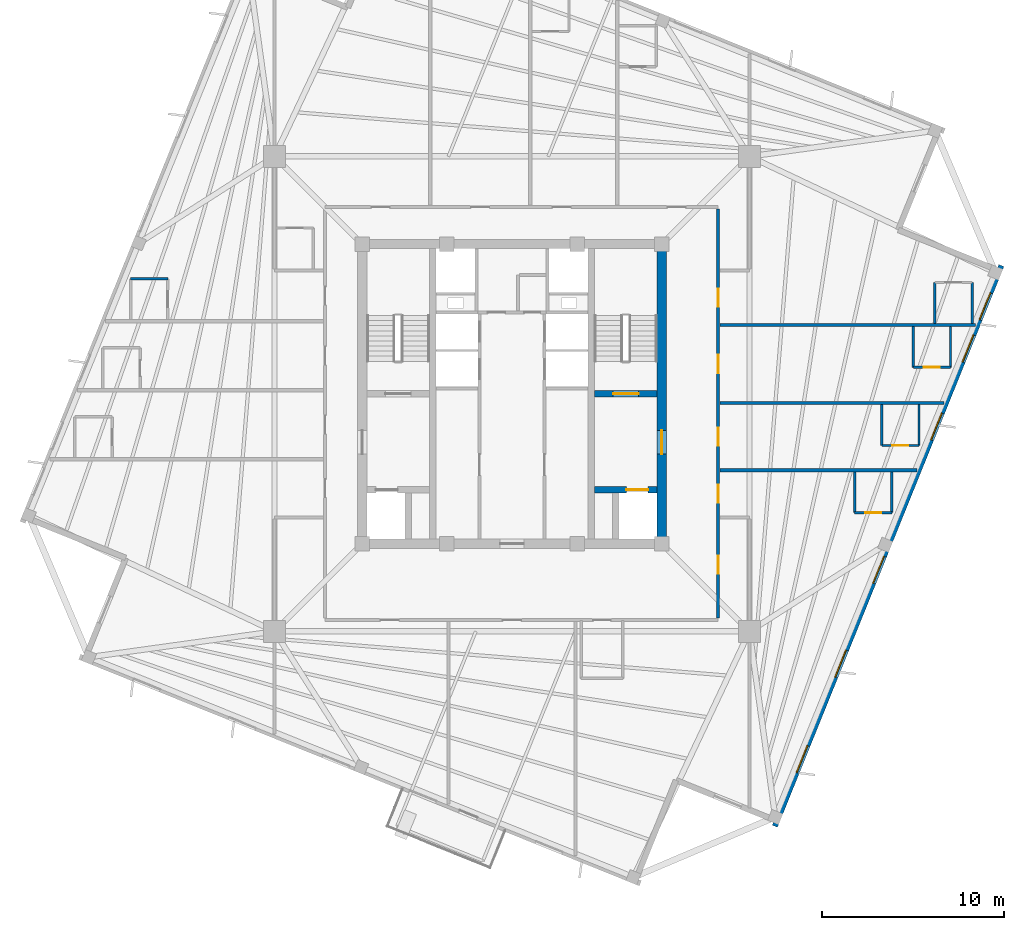
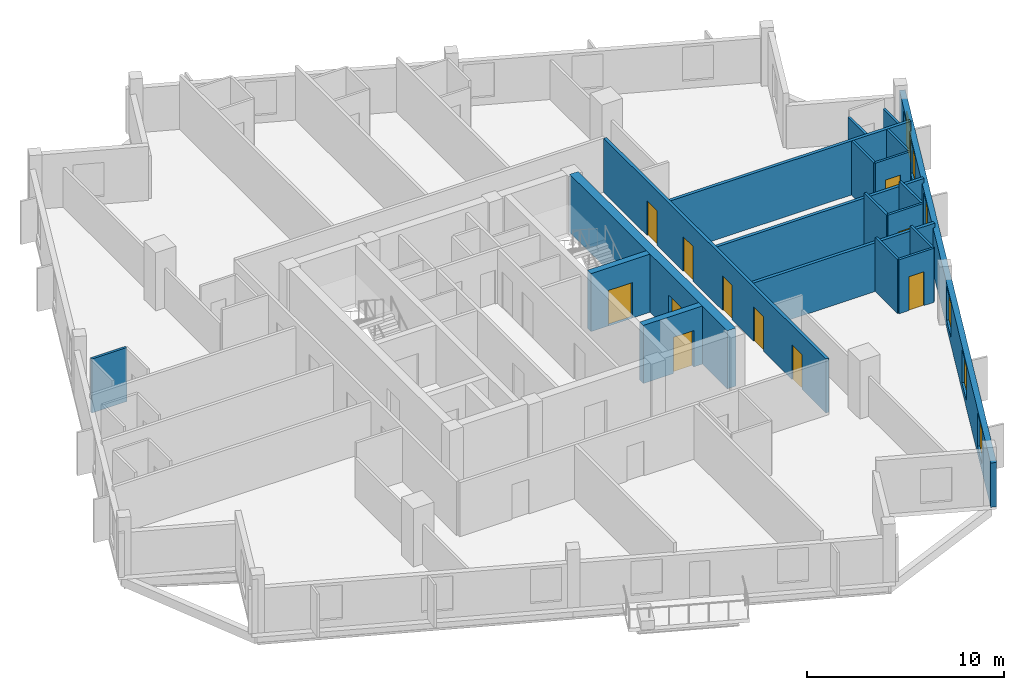
# One storey, part 4 of 9: 20 walls, 11 doors, 6 windows, 17 openings.
"""IFC4 building model written with IfcOpenShell, lengths in metres."""

from ifc_helpers import new_model, si_unit, direction, frame, frame_2d, origin, place, context, subcontext, project, spatial, rectangle, extrude, source, transform, mapped, material, layer, layer_set, type_object, element, fill, save


model = new_model("IFC4")

# Units and contexts
model_context = context("Model", 3, precision=1e-05, world=origin(), true_north=direction((0.0, 1.0)))
body_context = subcontext(model_context, "Body", "Model", "MODEL_VIEW")
ifc_project = project(units=[si_unit("LENGTHUNIT", "METRE"), si_unit("AREAUNIT", "SQUARE_METRE"), si_unit("VOLUMEUNIT", "CUBIC_METRE"), si_unit("PLANEANGLEUNIT", "RADIAN"), si_unit("MASSUNIT", "GRAM", prefix="KILO"), si_unit("THERMODYNAMICTEMPERATUREUNIT", "KELVIN")], contexts=[model_context])

# Site, building, storey
site_placement = place(None, origin())
site = spatial("IfcSite", under=ifc_project, at=site_placement, CompositionType="ELEMENT")
building_placement = place(site_placement, origin())
building = spatial("IfcBuilding", under=site, at=building_placement, Name="Kosmvard Interchange Tower", CompositionType="ELEMENT")
storey_placement = place(building_placement, frame((0.0, 0.0, 297.60009765625)))
storey = spatial("IfcBuildingStorey", under=building, at=storey_placement, Name="L73", CompositionType="ELEMENT", Elevation=297.60009765625)

# Wall, openings, doors
ifc_material_1 = material(Name="Fire-rated gypsum partition system")
ifc_layer_1 = layer(ifc_material_1, 0.179931640625, Name="Fire-rated gypsum partition system")
ifc_layer_set_1 = layer_set([ifc_layer_1], Name="Fire-rated gypsum partition system")
wall_type_1 = type_object("IfcWallType", Name="Corridor & Hotel Compartment Partition 180", PredefinedType="PARTITIONING", material=ifc_layer_set_1)
wall_1_placement = place(storey_placement, frame((11.35009765625, -12.35009765625, 0.0), z_axis=(0.0, 0.0, 1.0), x_axis=(0.0, 1.0, 0.0)))
wall_1 = element("IfcWall", 1, at=wall_1_placement, inside=storey, type_object=wall_type_1, Name="L73 Corridor Wall CE", PredefinedType="PARTITIONING", context=body_context, shape_type="SweptSolid", body=[
    extrude(rectangle(XDim=22.550048828125, YDim=0.179931640625, at=frame_2d((11.27490234375, 0.0))), origin(), (0.0, 0.0, 1.0), 3.349853515625),
])
opening_1_placement = place(wall_1_placement, frame((17.14990234375, 0.0, 0.0)))
opening_1 = element("IfcOpeningElement", 2, at=opening_1_placement, cuts=wall_1, Name="Opening L73-D14", PredefinedType="OPENING", context=body_context, shape_type="SweptSolid", body=[
    extrude(rectangle(XDim=1.0, YDim=2.14990234375, at=frame_2d((0.5, 1.074951171875))), frame((0.0, 0.10009765625, 0.0), z_axis=(0.0, -1.0, 0.0), x_axis=(1.0, 0.0, 0.0)), (0.0, 0.0, 1.0), 0.199951171875),
])
opening_2_placement = place(wall_1_placement, frame((13.5, 0.0, 0.0)))
opening_2 = element("IfcOpeningElement", 3, at=opening_2_placement, cuts=wall_1, Name="Opening L73-D16", PredefinedType="OPENING", context=body_context, shape_type="SweptSolid", body=[
    extrude(rectangle(XDim=1.0, YDim=2.14990234375, at=frame_2d((0.5, 1.074951171875))), frame((0.0, 0.10009765625, 0.0), z_axis=(0.0, -1.0, 0.0), x_axis=(1.0, 0.0, 0.0)), (0.0, 0.0, 1.0), 0.199951171875),
])
opening_3_placement = place(wall_1_placement, frame((9.5, 0.0, 0.0)))
opening_3 = element("IfcOpeningElement", 4, at=opening_3_placement, cuts=wall_1, Name="Opening L73-D18", PredefinedType="OPENING", context=body_context, shape_type="SweptSolid", body=[
    extrude(rectangle(XDim=1.0, YDim=2.14990234375, at=frame_2d((0.5, 1.074951171875))), frame((0.0, 0.10009765625, 0.0), z_axis=(0.0, -1.0, 0.0), x_axis=(1.0, 0.0, 0.0)), (0.0, 0.0, 1.0), 0.199951171875),
])
opening_4_placement = place(wall_1_placement, frame((6.35009765625, 0.0, 0.0)))
opening_4 = element("IfcOpeningElement", 5, at=opening_4_placement, cuts=wall_1, Name="Opening L73-D20", PredefinedType="OPENING", context=body_context, shape_type="SweptSolid", body=[
    extrude(rectangle(XDim=1.0, YDim=2.14990234375, at=frame_2d((0.5, 1.074951171875))), frame((0.0, 0.10009765625, 0.0), z_axis=(0.0, -1.0, 0.0), x_axis=(1.0, 0.0, 0.0)), (0.0, 0.0, 1.0), 0.199951171875),
])
opening_5_placement = place(wall_1_placement, frame((2.439453125, 0.0, 0.0)))
opening_5 = element("IfcOpeningElement", 6, at=opening_5_placement, cuts=wall_1, Name="Opening L73-D22", PredefinedType="OPENING", context=body_context, shape_type="SweptSolid", body=[
    extrude(rectangle(XDim=1.0, YDim=2.14990234375, at=frame_2d((0.5, 1.074951171875))), frame((0.0, 0.10009765625, 0.0), z_axis=(0.0, -1.0, 0.0), x_axis=(1.0, 0.0, 0.0)), (0.0, 0.0, 1.0), 0.199951171875),
])
ifc_material_2 = material(Name="Engineered oak fire-rated timber", Category="wood")
door_type_1 = type_object("IfcDoorType", Name="Hotel Guestroom Entrance Door 1000x2150 EI60", OperationType="NOTDEFINED", PredefinedType="DOOR", material=ifc_material_2)
shared_shape_1 = source(origin(), body_context, "Body", "SweptSolid", [
    extrude(rectangle(XDim=1.0, YDim=2.14990234375, at=frame_2d((0.5, 1.074951171875))), frame((0.0, 0.02490234375, 0.0), z_axis=(0.0, -1.0, 0.0), x_axis=(1.0, 0.0, 0.0)), (0.0, 0.0, 1.0), 0.050048828125),
])
door_1_placement = place(opening_1_placement, frame((1.0, 0.0, 0.0), z_axis=(0.0, 0.0, 1.0), x_axis=(-1.0, 0.0, 0.0)))
door_1 = element("IfcDoor", 7, at=door_1_placement, inside=storey, type_object=door_type_1, Name="L73 Hotel Corner Suite 2 Door", OperationType="SINGLE_SWING_RIGHT", OverallHeight=2.14990234375, OverallWidth=1.0, PredefinedType="DOOR", context=body_context, shape_type="MappedRepresentation", body=[
    mapped(shared_shape_1, transform((0.0, 0.0, 0.0), scale=1.0)),
])
fill(opening_1, door_1)
door_2_placement = place(opening_2_placement, frame((1.0, 0.0, 0.0), z_axis=(0.0, 0.0, 1.0), x_axis=(-1.0, 0.0, 0.0)))
door_2 = element("IfcDoor", 8, at=door_2_placement, inside=storey, type_object=door_type_1, Name="L73 Hotel Superior Guest Room 6 Door", OperationType="SINGLE_SWING_RIGHT", OverallHeight=2.14990234375, OverallWidth=1.0, PredefinedType="DOOR", context=body_context, shape_type="MappedRepresentation", body=[
    mapped(shared_shape_1, transform((0.0, 0.0, 0.0), scale=1.0)),
])
fill(opening_2, door_2)
door_3_placement = place(opening_3_placement, frame((1.0, 0.0, 0.0), z_axis=(0.0, 0.0, 1.0), x_axis=(-1.0, 0.0, 0.0)))
door_3 = element("IfcDoor", 9, at=door_3_placement, inside=storey, type_object=door_type_1, Name="L73 Hotel Superior Guest Room 7 Door", OperationType="SINGLE_SWING_RIGHT", OverallHeight=2.14990234375, OverallWidth=1.0, PredefinedType="DOOR", context=body_context, shape_type="MappedRepresentation", body=[
    mapped(shared_shape_1, transform((0.0, 0.0, 0.0), scale=1.0)),
])
fill(opening_3, door_3)
door_4_placement = place(opening_4_placement, frame((1.0, 0.0, 0.0), z_axis=(0.0, 0.0, 1.0), x_axis=(-1.0, 0.0, 0.0)))
door_4 = element("IfcDoor", 10, at=door_4_placement, inside=storey, type_object=door_type_1, Name="L73 Hotel Corner Suite 3 Door", OperationType="SINGLE_SWING_RIGHT", OverallHeight=2.14990234375, OverallWidth=1.0, PredefinedType="DOOR", context=body_context, shape_type="MappedRepresentation", body=[
    mapped(shared_shape_1, transform((0.0, 0.0, 0.0), scale=1.0)),
])
fill(opening_4, door_4)
door_5_placement = place(opening_5_placement, frame((1.0, 0.0, 0.0), z_axis=(0.0, 0.0, 1.0), x_axis=(-1.0, 0.0, 0.0)))
door_5 = element("IfcDoor", 11, at=door_5_placement, inside=storey, type_object=door_type_1, Name="L73 Housekeeping and Linen Room Door", OperationType="SINGLE_SWING_RIGHT", OverallHeight=2.14990234375, OverallWidth=1.0, PredefinedType="DOOR", context=body_context, shape_type="MappedRepresentation", body=[
    mapped(shared_shape_1, transform((0.0, 0.0, 0.0), scale=1.0)),
])
fill(opening_5, door_5)

# Walls
wall_2_placement = place(storey_placement, frame((11.445068359375, 3.800048828125, 0.0), z_axis=(0.0, 0.0, 1.0), x_axis=(1.0, 0.0, 0.0)))
element("IfcWall", 12, at=wall_2_placement, inside=storey, type_object=wall_type_1, Name="L73 Room Partition 04.1", PredefinedType="PARTITIONING", context=body_context, shape_type="SweptSolid", body=[
    extrude(rectangle(XDim=14.093017578125, YDim=0.179931640625, at=frame_2d((7.04638671875, 0.0))), origin(), (0.0, 0.0, 1.0), 3.349853515625),
])
wall_3_placement = place(storey_placement, frame((11.445068359375, -0.5, 0.0), z_axis=(0.0, 0.0, 1.0), x_axis=(1.0, 0.0, 0.0)))
element("IfcWall", 13, at=wall_3_placement, inside=storey, type_object=wall_type_1, Name="L73 Room Partition 05.1", PredefinedType="PARTITIONING", context=body_context, shape_type="SweptSolid", body=[
    extrude(rectangle(XDim=12.355712890625, YDim=0.179931640625, at=frame_2d((6.177734375, 0.0))), origin(), (0.0, 0.0, 1.0), 3.02001953125),
])
wall_4_placement = place(storey_placement, frame((11.445068359375, -4.199951171875, 0.0), z_axis=(0.0, 0.0, 1.0), x_axis=(1.0, 0.0, 0.0)))
element("IfcWall", 14, at=wall_4_placement, inside=storey, type_object=wall_type_1, Name="L73 Room Partition 06.1", PredefinedType="PARTITIONING", context=body_context, shape_type="SweptSolid", body=[
    extrude(rectangle(XDim=10.86083984375, YDim=0.179931640625, at=frame_2d((5.430419921875, 0.0))), origin(), (0.0, 0.0, 1.0), 3.02001953125),
])

# Wall, opening, door
ifc_material_3 = material(Name="Concrete C60/75", Category="concrete")
ifc_layer_2 = layer(ifc_material_3, 0.360107421875, Name="Concrete C60/75")
ifc_layer_set_2 = layer_set([ifc_layer_2], Name="Concrete C60/75")
wall_type_2 = type_object("IfcWallType", Name="Stair & Lift Shaft Shear Wall 360 C60/75", PredefinedType="SHEAR", material=ifc_layer_set_2)
wall_5_placement = place(storey_placement, frame((4.5400390625, 0.02001953125, 0.0), z_axis=(0.0, 0.0, 1.0), x_axis=(1.0, 0.0, 0.0)))
wall_5 = element("IfcWall", 15, at=wall_5_placement, inside=storey, type_object=wall_type_2, Name="L73 Shaft Shear Wall SW-ST2", PredefinedType="SHEAR", context=body_context, shape_type="SweptSolid", body=[
    extrude(rectangle(XDim=3.4599609375, YDim=0.360107421875, at=frame_2d((1.72998046875, 0.0))), origin(), (0.0, 0.0, 1.0), 3.599853515625),
])
opening_6_placement = place(wall_5_placement, frame((1.030029296875, 0.0, 0.0)))
opening_6 = element("IfcOpeningElement", 16, at=opening_6_placement, cuts=wall_5, Name="Opening L73-SD2", PredefinedType="OPENING", context=body_context, shape_type="SweptSolid", body=[
    extrude(rectangle(XDim=1.39990234375, YDim=2.199951171875, at=frame_2d((0.699951171875, 1.10009765625))), frame((0.0, 0.18994140625, 0.0), z_axis=(0.0, -1.0, 0.0), x_axis=(1.0, 0.0, 0.0)), (0.0, 0.0, 1.0), 0.380126953125),
])
ifc_material_4 = material(Name="Painted fire-rated steel leaf", Category="steel")
door_type_2 = type_object("IfcDoorType", Name="Protected Stair Door 1400x2200 FD60S", OperationType="NOTDEFINED", PredefinedType="DOOR", material=ifc_material_4)
shared_shape_2 = source(origin(), body_context, "Body", "SweptSolid", [
    extrude(rectangle(XDim=1.39990234375, YDim=2.199951171875, at=frame_2d((0.699951171875, 1.10009765625))), frame((0.0, 0.02490234375, 0.0), z_axis=(0.0, -1.0, 0.0), x_axis=(1.0, 0.0, 0.0)), (0.0, 0.0, 1.0), 0.050048828125),
])
door_6_placement = place(opening_6_placement, origin())
door_6 = element("IfcDoor", 17, at=door_6_placement, inside=storey, type_object=door_type_2, Name="L73 Stair ST-2 Enclosure Door", OperationType="SINGLE_SWING_RIGHT", OverallHeight=2.199951171875, OverallWidth=1.39990234375, PredefinedType="DOOR", context=body_context, shape_type="MappedRepresentation", body=[
    mapped(shared_shape_2, transform((0.0, 0.0, 0.0), scale=1.0)),
])
fill(opening_6, door_6)

wall_6_placement = place(storey_placement, frame((4.5400390625, -5.280029296875, 0.0), z_axis=(0.0, 0.0, 1.0), x_axis=(1.0, 0.0, 0.0)))
wall_6 = element("IfcWall", 18, at=wall_6_placement, inside=storey, type_object=wall_type_2, Name="L73 Shaft Shear Wall SW-FF2", PredefinedType="SHEAR", context=body_context, shape_type="SweptSolid", body=[
    extrude(rectangle(XDim=3.4599609375, YDim=0.360107421875, at=frame_2d((1.72998046875, 0.0))), origin(), (0.0, 0.0, 1.0), 3.599853515625),
])
opening_7_placement = place(wall_6_placement, frame((1.760009765625, 0.0, 0.0)))
opening_7 = element("IfcOpeningElement", 19, at=opening_7_placement, cuts=wall_6, Name="Opening LD-FF-2-L73", PredefinedType="OPENING", context=body_context, shape_type="SweptSolid", body=[
    extrude(rectangle(XDim=1.199951171875, YDim=2.25, at=frame_2d((0.60009765625, 1.125))), frame((0.0, 0.18994140625, 0.0), z_axis=(0.0, -1.0, 0.0), x_axis=(1.0, 0.0, 0.0)), (0.0, 0.0, 1.0), 0.380126953125),
])
ifc_material_5 = material(Name="Brushed stainless steel sliding leaf", Category="steel")
door_type_3 = type_object("IfcDoorType", Name="Firefighting Lift Sliding Landing Door 1200x2250 EI120", OperationType="DOUBLE_DOOR_SLIDING", PredefinedType="DOOR", material=ifc_material_5)
shared_shape_3 = source(origin(), body_context, "Body", "SweptSolid", [
    extrude(rectangle(XDim=1.199951171875, YDim=2.25, at=frame_2d((0.60009765625, 1.125))), frame((0.0, 0.02490234375, 0.0), z_axis=(0.0, -1.0, 0.0), x_axis=(1.0, 0.0, 0.0)), (0.0, 0.0, 1.0), 0.050048828125),
])
door_7_placement = place(opening_7_placement, origin())
door_7 = element("IfcDoor", 20, at=door_7_placement, inside=storey, type_object=door_type_3, Name="Lift FF-2 Landing Door L73", OperationType="DOUBLE_DOOR_SLIDING", OverallHeight=2.25, OverallWidth=1.199951171875, PredefinedType="DOOR", context=body_context, shape_type="MappedRepresentation", body=[
    mapped(shared_shape_3, transform((0.0, 0.0, 0.0), scale=1.0)),
])
fill(opening_7, door_7)

ifc_layer_3 = layer(ifc_material_3, 0.5, Name="Concrete C60/75")
ifc_layer_set_3 = layer_set([ifc_layer_3], Name="Concrete C60/75")
wall_type_3 = type_object("IfcWallType", Name="Upper Core Shear Wall 500 C60/75", PredefinedType="SHEAR", material=ifc_layer_set_3)
wall_7_placement = place(storey_placement, frame((8.25, -8.0, 0.0), z_axis=(0.0, 0.0, 1.0), x_axis=(0.0, 1.0, 0.0)))
wall_7 = element("IfcWall", 21, at=wall_7_placement, inside=storey, type_object=wall_type_3, Name="L73 Core Shear Wall CW-E", PredefinedType="SHEAR", context=body_context, shape_type="SweptSolid", body=[
    extrude(rectangle(XDim=16.0, YDim=0.5, at=frame_2d((8.0, 0.0))), origin(), (0.0, 0.0, 1.0), 3.599853515625),
])
opening_8_placement = place(wall_7_placement, frame((4.68994140625, 0.0, 0.0)))
opening_8 = element("IfcOpeningElement", 22, at=opening_8_placement, cuts=wall_7, Name="Opening L73-FD2", PredefinedType="OPENING", context=body_context, shape_type="SweptSolid", body=[
    extrude(rectangle(XDim=1.300048828125, YDim=2.199951171875, at=frame_2d((0.64990234375, 1.10009765625))), frame((0.0, 0.260009765625, 0.0), z_axis=(0.0, -1.0, 0.0), x_axis=(1.0, 0.0, 0.0)), (0.0, 0.0, 1.0), 0.52001953125),
])
door_type_4 = type_object("IfcDoorType", Name="Firefighting Lobby Door 1300x2200 EI60", OperationType="NOTDEFINED", PredefinedType="DOOR", material=ifc_material_4)
shared_shape_4 = source(origin(), body_context, "Body", "SweptSolid", [
    extrude(rectangle(XDim=1.300048828125, YDim=2.199951171875, at=frame_2d((0.64990234375, 1.10009765625))), frame((0.0, 0.02490234375, 0.0), z_axis=(0.0, -1.0, 0.0), x_axis=(1.0, 0.0, 0.0)), (0.0, 0.0, 1.0), 0.050048828125),
])
door_8_placement = place(opening_8_placement, origin())
door_8 = element("IfcDoor", 23, at=door_8_placement, inside=storey, type_object=door_type_4, Name="L73 Firefighting Lobby East Door", OperationType="SINGLE_SWING_RIGHT", OverallHeight=2.199951171875, OverallWidth=1.300048828125, PredefinedType="DOOR", context=body_context, shape_type="MappedRepresentation", body=[
    mapped(shared_shape_4, transform((0.0, 0.0, 0.0), scale=1.0)),
])
fill(opening_8, door_8)

# Wall, openings, windows
ifc_material_6 = material(Name="Precast concrete C45/55", Category="concrete")
ifc_layer_4 = layer(ifc_material_6, 0.31005859375, Name="Precast concrete C45/55")
ifc_layer_set_4 = layer_set([ifc_layer_4], Name="Precast concrete C45/55")
wall_type_4 = type_object("IfcWallType", Name="Upper Tower Precast Pier Wall 310 C45/55", PredefinedType="STANDARD", material=ifc_layer_set_4)
wall_8_placement = place(storey_placement, frame((14.478759765625, -23.812744140625, 0.0), z_axis=(0.0, 0.0, 1.0), x_axis=(0.374609557019, 0.927182657188, 0.0)))
wall_8 = element("IfcWall", 24, at=wall_8_placement, inside=storey, type_object=wall_type_4, Name="L73 Precast Facade Wall F-S", PredefinedType="STANDARD", context=body_context, shape_type="SweptSolid", body=[
    extrude(rectangle(XDim=33.31005859375, YDim=0.31005859375, at=frame_2d((16.655029296875, 0.0))), origin(), (0.0, 0.0, 1.0), 2.75),
])
opening_9_placement = place(wall_8_placement, frame((3.197265625, 0.0, 0.469970703125)))
opening_9 = element("IfcOpeningElement", 25, at=opening_9_placement, cuts=wall_8, Name="Opening L73-W01", PredefinedType="OPENING", context=body_context, shape_type="SweptSolid", body=[
    extrude(rectangle(XDim=1.60009765625, YDim=2.10009765625, at=frame_2d((0.800048828125, 1.050048828125))), frame((0.0, 0.1650390625, 0.0), z_axis=(0.0, -1.0, 0.0), x_axis=(1.0, 0.0, 0.0)), (0.0, 0.0, 1.0), 0.330078125),
])
opening_10_placement = place(wall_8_placement, frame((8.85986328125, 0.0, 0.469970703125)))
opening_10 = element("IfcOpeningElement", 26, at=opening_10_placement, cuts=wall_8, Name="Opening L73-W02", PredefinedType="OPENING", context=body_context, shape_type="SweptSolid", body=[
    extrude(rectangle(XDim=1.60009765625, YDim=2.10009765625, at=frame_2d((0.800048828125, 1.050048828125))), frame((0.0, 0.1650390625, 0.0), z_axis=(0.0, -1.0, 0.0), x_axis=(1.0, 0.0, 0.0)), (0.0, 0.0, 1.0), 0.330078125),
])
opening_11_placement = place(wall_8_placement, frame((14.438720703125, 0.0, 0.469970703125)))
opening_11 = element("IfcOpeningElement", 27, at=opening_11_placement, cuts=wall_8, Name="Opening L73-W03", PredefinedType="OPENING", context=body_context, shape_type="SweptSolid", body=[
    extrude(rectangle(XDim=1.60009765625, YDim=2.10009765625, at=frame_2d((0.800048828125, 1.050048828125))), frame((0.0, 0.1650390625, 0.0), z_axis=(0.0, -1.0, 0.0), x_axis=(1.0, 0.0, 0.0)), (0.0, 0.0, 1.0), 0.330078125),
])
opening_12_placement = place(wall_8_placement, frame((30.0966796875, 0.0, 0.469970703125)))
opening_12 = element("IfcOpeningElement", 28, at=opening_12_placement, cuts=wall_8, Name="Opening L73-W04", PredefinedType="OPENING", context=body_context, shape_type="SweptSolid", body=[
    extrude(rectangle(XDim=1.60009765625, YDim=2.10009765625, at=frame_2d((0.800048828125, 1.050048828125))), frame((0.0, 0.1650390625, 0.0), z_axis=(0.0, -1.0, 0.0), x_axis=(1.0, 0.0, 0.0)), (0.0, 0.0, 1.0), 0.330078125),
])
opening_13_placement = place(wall_8_placement, frame((27.58984375, 0.0, 0.469970703125)))
opening_13 = element("IfcOpeningElement", 29, at=opening_13_placement, cuts=wall_8, Name="Opening L73-DW23", PredefinedType="OPENING", context=body_context, shape_type="SweptSolid", body=[
    extrude(rectangle(XDim=1.60009765625, YDim=2.10009765625, at=frame_2d((0.800048828125, 1.050048828125))), frame((0.0, 0.1650390625, 0.0), z_axis=(0.0, -1.0, 0.0), x_axis=(1.0, 0.0, 0.0)), (0.0, 0.0, 1.0), 0.330078125),
])
opening_14_placement = place(wall_8_placement, frame((22.9521484375, 0.0, 0.469970703125)))
opening_14 = element("IfcOpeningElement", 30, at=opening_14_placement, cuts=wall_8, Name="Opening L73-DW24", PredefinedType="OPENING", context=body_context, shape_type="SweptSolid", body=[
    extrude(rectangle(XDim=1.60009765625, YDim=2.10009765625, at=frame_2d((0.800048828125, 1.050048828125))), frame((0.0, 0.1650390625, 0.0), z_axis=(0.0, -1.0, 0.0), x_axis=(1.0, 0.0, 0.0)), (0.0, 0.0, 1.0), 0.330078125),
])
ifc_material_7 = material(Name="Low-E acoustic double glazing", Category="glass")
window_type = type_object("IfcWindowType", Name="Zone 5 Hotel Punched Window 1600x2100", PartitioningType="SINGLE_PANEL", PredefinedType="WINDOW", material=ifc_material_7)
shared_shape_5 = source(origin(), body_context, "Body", "SweptSolid", [
    extrude(rectangle(XDim=1.60009765625, YDim=2.10009765625, at=frame_2d((0.800048828125, 1.050048828125))), frame((0.0, 0.030029296875, 0.0), z_axis=(0.0, -1.0, 0.0), x_axis=(1.0, 0.0, 0.0)), (0.0, 0.0, 1.0), 0.06005859375),
])
window_1_placement = place(opening_9_placement, origin())
window_1 = element("IfcWindow", 31, at=window_1_placement, inside=storey, type_object=window_type, Name="L73 Facade Punched Window 01", OverallHeight=2.10009765625, OverallWidth=1.60009765625, PartitioningType="SINGLE_PANEL", PredefinedType="WINDOW", context=body_context, shape_type="MappedRepresentation", body=[
    mapped(shared_shape_5, transform((0.0, 0.0, 0.0), scale=1.0)),
])
fill(opening_9, window_1)
window_2_placement = place(opening_10_placement, origin())
window_2 = element("IfcWindow", 32, at=window_2_placement, inside=storey, type_object=window_type, Name="L73 Facade Punched Window 02", OverallHeight=2.10009765625, OverallWidth=1.60009765625, PartitioningType="SINGLE_PANEL", PredefinedType="WINDOW", context=body_context, shape_type="MappedRepresentation", body=[
    mapped(shared_shape_5, transform((0.0, 0.0, 0.0), scale=1.0)),
])
fill(opening_10, window_2)
window_3_placement = place(opening_11_placement, origin())
window_3 = element("IfcWindow", 33, at=window_3_placement, inside=storey, type_object=window_type, Name="L73 Facade Punched Window 03", OverallHeight=2.10009765625, OverallWidth=1.60009765625, PartitioningType="SINGLE_PANEL", PredefinedType="WINDOW", context=body_context, shape_type="MappedRepresentation", body=[
    mapped(shared_shape_5, transform((0.0, 0.0, 0.0), scale=1.0)),
])
fill(opening_11, window_3)
window_4_placement = place(opening_12_placement, origin())
window_4 = element("IfcWindow", 34, at=window_4_placement, inside=storey, type_object=window_type, Name="L73 Facade Punched Window 04", OverallHeight=2.10009765625, OverallWidth=1.60009765625, PartitioningType="SINGLE_PANEL", PredefinedType="WINDOW", context=body_context, shape_type="MappedRepresentation", body=[
    mapped(shared_shape_5, transform((0.0, 0.0, 0.0), scale=1.0)),
])
fill(opening_12, window_4)
window_5_placement = place(opening_13_placement, origin())
window_5 = element("IfcWindow", 35, at=window_5_placement, inside=storey, type_object=window_type, Name="L73 Guest Room Punched Window 23", OverallHeight=2.10009765625, OverallWidth=1.60009765625, PartitioningType="SINGLE_PANEL", PredefinedType="WINDOW", context=body_context, shape_type="MappedRepresentation", body=[
    mapped(shared_shape_5, transform((0.0, 0.0, 0.0), scale=1.0)),
])
fill(opening_13, window_5)
window_6_placement = place(opening_14_placement, origin())
window_6 = element("IfcWindow", 36, at=window_6_placement, inside=storey, type_object=window_type, Name="L73 Guest Room Punched Window 24", OverallHeight=2.10009765625, OverallWidth=1.60009765625, PartitioningType="SINGLE_PANEL", PredefinedType="WINDOW", context=body_context, shape_type="MappedRepresentation", body=[
    mapped(shared_shape_5, transform((0.0, 0.0, 0.0), scale=1.0)),
])
fill(opening_14, window_6)

# Walls
ifc_material_8 = material(Name="Moisture-resistant gypsum partition")
ifc_layer_5 = layer(ifc_material_8, 0.135009765625, Name="Moisture-resistant gypsum partition")
ifc_layer_set_5 = layer_set([ifc_layer_5], Name="Moisture-resistant gypsum partition")
wall_type_5 = type_object("IfcWallType", Name="Wet Room Moisture-Resistant Partition 135", PredefinedType="PARTITIONING", material=ifc_layer_set_5)
wall_9_placement = place(storey_placement, frame((-21.00341796875, 6.340087890625, 0.0), z_axis=(0.0, 0.0, 1.0), x_axis=(1.0, 0.0, 0.0)))
element("IfcWall", 37, at=wall_9_placement, inside=storey, type_object=wall_type_5, Name="L73 En-Suite Partition HGR2-N", PredefinedType="PARTITIONING", context=body_context, shape_type="SweptSolid", body=[
    extrude(rectangle(XDim=2.050048828125, YDim=0.135009765625, at=frame_2d((1.02490234375, 0.0))), origin(), (0.0, 0.0, 1.0), 3.349853515625),
])
wall_10_placement = place(storey_placement, frame((25.341552734375, 3.889892578125, 0.0), z_axis=(0.0, 0.0, 1.0), x_axis=(0.0, 1.0, 0.0)))
element("IfcWall", 38, at=wall_10_placement, inside=storey, type_object=wall_type_5, Name="L73 En-Suite Partition HCS2-E", PredefinedType="PARTITIONING", context=body_context, shape_type="SweptSolid", body=[
    extrude(rectangle(XDim=2.25, YDim=0.135009765625, at=frame_2d((1.125, 0.0))), origin(), (0.0, 0.0, 1.0), 2.75),
])
wall_11_placement = place(storey_placement, frame((23.29150390625, 3.889892578125, 0.0), z_axis=(0.0, 0.0, 1.0), x_axis=(0.0, 1.0, 0.0)))
element("IfcWall", 39, at=wall_11_placement, inside=storey, type_object=wall_type_5, Name="L73 En-Suite Partition HCS2-W", PredefinedType="PARTITIONING", context=body_context, shape_type="SweptSolid", body=[
    extrude(rectangle(XDim=2.25, YDim=0.135009765625, at=frame_2d((1.125, 0.0))), origin(), (0.0, 0.0, 1.0), 2.949951171875),
])

# Wall, opening, door
wall_12_placement = place(storey_placement, frame((22.104736328125, 1.4599609375, 0.0), z_axis=(0.0, 0.0, 1.0), x_axis=(1.0, 0.0, 0.0)))
wall_12 = element("IfcWall", 40, at=wall_12_placement, inside=storey, type_object=wall_type_5, Name="L73 En-Suite Partition HGR6-S", PredefinedType="PARTITIONING", context=body_context, shape_type="SweptSolid", body=[
    extrude(rectangle(XDim=2.050048828125, YDim=0.135009765625, at=frame_2d((1.02490234375, 0.0))), origin(), (0.0, 0.0, 1.0), 3.349853515625),
])
opening_15_placement = place(wall_12_placement, frame((0.5849609375, 0.0, 0.0)))
opening_15 = element("IfcOpeningElement", 41, at=opening_15_placement, cuts=wall_12, Name="Opening L73-ED17", PredefinedType="OPENING", context=body_context, shape_type="SweptSolid", body=[
    extrude(rectangle(XDim=0.8798828125, YDim=2.10009765625, at=frame_2d((0.43994140625, 1.050048828125))), frame((0.0, 0.07763671875, 0.0), z_axis=(0.0, -1.0, 0.0), x_axis=(1.0, 0.0, 0.0)), (0.0, 0.0, 1.0), 0.155029296875),
])
ifc_material_9 = material(Name="Laminated moisture-resistant timber", Category="wood")
door_type_5 = type_object("IfcDoorType", Name="En-Suite & Washroom Door 880x2100", OperationType="NOTDEFINED", PredefinedType="DOOR", material=ifc_material_9)
shared_shape_6 = source(origin(), body_context, "Body", "SweptSolid", [
    extrude(rectangle(XDim=0.8798828125, YDim=2.10009765625, at=frame_2d((0.43994140625, 1.050048828125))), frame((0.0, 0.02490234375, 0.0), z_axis=(0.0, -1.0, 0.0), x_axis=(1.0, 0.0, 0.0)), (0.0, 0.0, 1.0), 0.050048828125),
])
door_9_placement = place(opening_15_placement, origin())
door_9 = element("IfcDoor", 42, at=door_9_placement, inside=storey, type_object=door_type_5, Name="L73 HGR6 En-Suite Door", OperationType="SINGLE_SWING_RIGHT", OverallHeight=2.10009765625, OverallWidth=0.8798828125, PredefinedType="DOOR", context=body_context, shape_type="MappedRepresentation", body=[
    mapped(shared_shape_6, transform((0.0, 0.0, 0.0), scale=1.0)),
])
fill(opening_15, door_9)

# Walls
for number, where, z_axis, x_axis, name in (
    (43, (24.15478515625, 1.4599609375, 0.0), (0.0, 0.0, 1.0), (0.0, 1.0, 0.0), "L73 En-Suite Partition HGR6-E"),
    (44, (22.104736328125, 1.4599609375, 0.0), (0.0, 0.0, 1.0), (0.0, 1.0, 0.0), "L73 En-Suite Partition HGR6-W"),
):
    element("IfcWall", number, at=place(storey_placement, frame(where, z_axis=z_axis, x_axis=x_axis)), inside=storey, type_object=wall_type_5, Name=name, PredefinedType="PARTITIONING", context=body_context, shape_type="SweptSolid", body=[
        extrude(rectangle(XDim=2.25, YDim=0.135009765625, at=frame_2d((1.125, 0.0))), origin(), (0.0, 0.0, 1.0), 3.349853515625),
    ])

# Wall, opening, door
wall_13_placement = place(storey_placement, frame((20.367431640625, -2.840087890625, 0.0), z_axis=(0.0, 0.0, 1.0), x_axis=(1.0, 0.0, 0.0)))
wall_13 = element("IfcWall", 45, at=wall_13_placement, inside=storey, type_object=wall_type_5, Name="L73 En-Suite Partition HGR7-S", PredefinedType="PARTITIONING", context=body_context, shape_type="SweptSolid", body=[
    extrude(rectangle(XDim=2.050048828125, YDim=0.135009765625, at=frame_2d((1.02490234375, 0.0))), origin(), (0.0, 0.0, 1.0), 3.349853515625),
])
opening_16_placement = place(wall_13_placement, frame((0.5849609375, 0.0, 0.0)))
opening_16 = element("IfcOpeningElement", 46, at=opening_16_placement, cuts=wall_13, Name="Opening L73-ED19", PredefinedType="OPENING", context=body_context, shape_type="SweptSolid", body=[
    extrude(rectangle(XDim=0.8798828125, YDim=2.10009765625, at=frame_2d((0.43994140625, 1.050048828125))), frame((0.0, 0.07763671875, 0.0), z_axis=(0.0, -1.0, 0.0), x_axis=(1.0, 0.0, 0.0)), (0.0, 0.0, 1.0), 0.155029296875),
])
door_10_placement = place(opening_16_placement, origin())
door_10 = element("IfcDoor", 47, at=door_10_placement, inside=storey, type_object=door_type_5, Name="L73 HGR7 En-Suite Door", OperationType="SINGLE_SWING_RIGHT", OverallHeight=2.10009765625, OverallWidth=0.8798828125, PredefinedType="DOOR", context=body_context, shape_type="MappedRepresentation", body=[
    mapped(shared_shape_6, transform((0.0, 0.0, 0.0), scale=1.0)),
])
fill(opening_16, door_10)

# Walls
for number, where, z_axis, x_axis, name in (
    (48, (22.41748046875, -2.840087890625, 0.0), (0.0, 0.0, 1.0), (0.0, 1.0, 0.0), "L73 En-Suite Partition HGR7-E"),
    (49, (20.367431640625, -2.840087890625, 0.0), (0.0, 0.0, 1.0), (0.0, 1.0, 0.0), "L73 En-Suite Partition HGR7-W"),
):
    element("IfcWall", number, at=place(storey_placement, frame(where, z_axis=z_axis, x_axis=x_axis)), inside=storey, type_object=wall_type_5, Name=name, PredefinedType="PARTITIONING", context=body_context, shape_type="SweptSolid", body=[
        extrude(rectangle(XDim=2.25, YDim=0.135009765625, at=frame_2d((1.125, 0.0))), origin(), (0.0, 0.0, 1.0), 3.349853515625),
    ])

# Wall, opening, door
wall_14_placement = place(storey_placement, frame((18.87255859375, -6.5400390625, 0.0), z_axis=(0.0, 0.0, 1.0), x_axis=(1.0, 0.0, 0.0)))
wall_14 = element("IfcWall", 50, at=wall_14_placement, inside=storey, type_object=wall_type_5, Name="L73 En-Suite Partition HCS3-S", PredefinedType="PARTITIONING", context=body_context, shape_type="SweptSolid", body=[
    extrude(rectangle(XDim=2.050048828125, YDim=0.135009765625, at=frame_2d((1.02490234375, 0.0))), origin(), (0.0, 0.0, 1.0), 3.349853515625),
])
opening_17_placement = place(wall_14_placement, frame((0.5849609375, 0.0, 0.0)))
opening_17 = element("IfcOpeningElement", 51, at=opening_17_placement, cuts=wall_14, Name="Opening L73-ED21", PredefinedType="OPENING", context=body_context, shape_type="SweptSolid", body=[
    extrude(rectangle(XDim=0.8798828125, YDim=2.10009765625, at=frame_2d((0.43994140625, 1.050048828125))), frame((0.0, 0.07763671875, 0.0), z_axis=(0.0, -1.0, 0.0), x_axis=(1.0, 0.0, 0.0)), (0.0, 0.0, 1.0), 0.155029296875),
])
door_11_placement = place(opening_17_placement, origin())
door_11 = element("IfcDoor", 52, at=door_11_placement, inside=storey, type_object=door_type_5, Name="L73 HCS3 En-Suite Door", OperationType="SINGLE_SWING_RIGHT", OverallHeight=2.10009765625, OverallWidth=0.8798828125, PredefinedType="DOOR", context=body_context, shape_type="MappedRepresentation", body=[
    mapped(shared_shape_6, transform((0.0, 0.0, 0.0), scale=1.0)),
])
fill(opening_17, door_11)

# Walls
for number, where, z_axis, x_axis, name in (
    (53, (20.922607421875, -6.5400390625, 0.0), (0.0, 0.0, 1.0), (0.0, 1.0, 0.0), "L73 En-Suite Partition HCS3-E"),
    (54, (18.87255859375, -6.5400390625, 0.0), (0.0, 0.0, 1.0), (0.0, 1.0, 0.0), "L73 En-Suite Partition HCS3-W"),
):
    element("IfcWall", number, at=place(storey_placement, frame(where, z_axis=z_axis, x_axis=x_axis)), inside=storey, type_object=wall_type_5, Name=name, PredefinedType="PARTITIONING", context=body_context, shape_type="SweptSolid", body=[
        extrude(rectangle(XDim=2.25, YDim=0.135009765625, at=frame_2d((1.125, 0.0))), origin(), (0.0, 0.0, 1.0), 3.349853515625),
    ])

save(model, "model.ifc")
